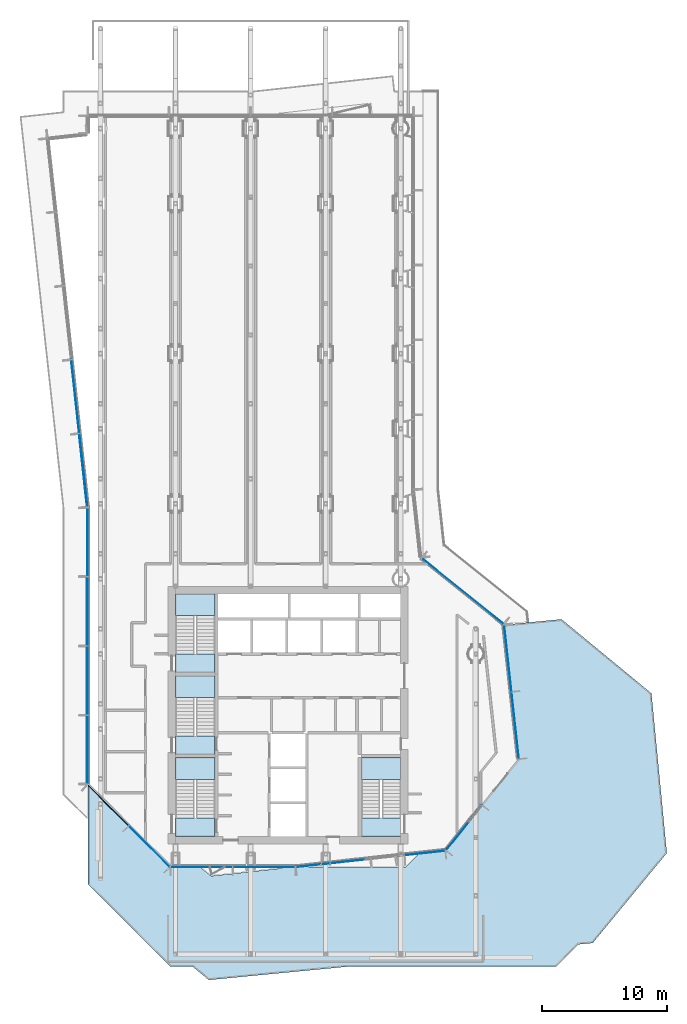
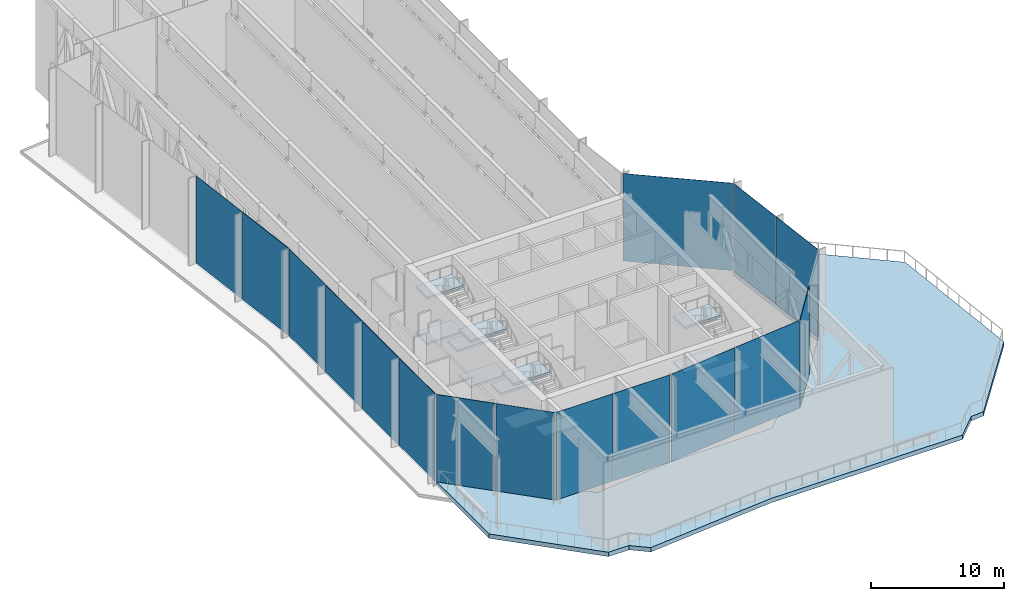
# One storey, part 10 of 22: 16 plates, 13 slabs, 12 elements without a shape of their own.
"""IFC4 building model written with IfcOpenShell, lengths in metres."""

from ifc_helpers import new_model, si_unit, direction, frame, origin, origin_2d, place, context, subcontext, project, spatial, polyline, rectangle, outline, extrude, material, layer, layer_set, type_object, element, aggregate, save


model = new_model("IFC4")

# Units and contexts
model_context = context("Model", 3, precision=1e-05, world=origin(), true_north=direction((0.0, 1.0)))
body_context = subcontext(model_context, "Body", "Model", "MODEL_VIEW")
ifc_project = project(units=[si_unit("LENGTHUNIT", "METRE"), si_unit("AREAUNIT", "SQUARE_METRE"), si_unit("VOLUMEUNIT", "CUBIC_METRE"), si_unit("PLANEANGLEUNIT", "RADIAN"), si_unit("MASSUNIT", "GRAM", prefix="KILO")], contexts=[model_context])

# Site, building, storey
site_placement = place(None, origin())
site = spatial("IfcSite", under=ifc_project, at=site_placement, CompositionType="ELEMENT")
building_placement = place(site_placement, origin())
building = spatial("IfcBuilding", under=site, at=building_placement, Name="Welwitschia Terrace Campus", CompositionType="ELEMENT")
storey_placement = place(building_placement, frame((0.0, 0.0, 197.0)))
storey = spatial("IfcBuildingStorey", under=building, at=storey_placement, Name="L44", CompositionType="ELEMENT", Elevation=197.0)

# Curtain wall, plates
ifc_material_1 = material(Name="Bronze anodised aluminium", Category="aluminium")
ifc_layer_1 = layer(ifc_material_1, 0.159912109375)
ifc_layer_set_1 = layer_set([ifc_layer_1], Name="Bronze anodised aluminium")
curtain_wall_type = type_object("IfcCurtainWallType", Name="Curtain wall CW3 commons 6000", PredefinedType="NOTDEFINED", material=ifc_layer_set_1)
curtain_wall_1_placement = place(storey_placement, origin())
curtain_wall_1 = element("IfcCurtainWall", 1, at=curtain_wall_1_placement, inside=storey, type_object=curtain_wall_type, Name="CW L44.1.0", PredefinedType="NOTDEFINED")
ifc_material_2 = material(Name="Tinted bronze-grey glass", Category="glass")
ifc_layer_2 = layer(ifc_material_2, 0.031982421875)
ifc_layer_set_2 = layer_set([ifc_layer_2], Name="Tinted bronze-grey glass")
plate_type_1 = type_object("IfcPlateType", Name="Glass panel 32 tinted", PredefinedType="CURTAIN_PANEL", material=ifc_layer_set_2)
plate_1_placement = place(storey_placement, frame((33.151611328125, 14.2763671875, 0.0), z_axis=(0.0, 0.0, 1.0), x_axis=(-0.108866874852, 0.994056338222, 0.0)))
plate_1 = element("IfcPlate", 2, at=plate_1_placement, type_object=plate_type_1, Name="Panel L44.1.0.0", PredefinedType="CURTAIN_PANEL", context=body_context, shape_type="SweptSolid", body=[
    extrude(rectangle(XDim=5.344970703125, YDim=0.031982421875, at=origin_2d()), origin(), (0.0, 0.0, 1.0), 8.050048828125),
])
plate_2_placement = place(storey_placement, frame((32.563232421875, 19.649169921875, 0.0), z_axis=(0.0, 0.0, 1.0), x_axis=(-0.108866874852, 0.994056338222, 0.0)))
plate_2 = element("IfcPlate", 3, at=plate_2_placement, type_object=plate_type_1, Name="Panel L44.1.0.1", PredefinedType="CURTAIN_PANEL", context=body_context, shape_type="SweptSolid", body=[
    extrude(rectangle(XDim=5.344970703125, YDim=0.031982421875, at=origin_2d()), origin(), (0.0, 0.0, 1.0), 8.050048828125),
])
aggregate(curtain_wall_1, [plate_1, plate_2])

# Curtain wall, plate
curtain_wall_2_placement = place(storey_placement, origin())
curtain_wall_2 = element("IfcCurtainWall", 4, at=curtain_wall_2_placement, inside=storey, type_object=curtain_wall_type, Name="CW L44.2.0", PredefinedType="NOTDEFINED")
plate_3_placement = place(storey_placement, frame((28.95703125, 25.02099609375, 0.0), z_axis=(0.0, 0.0, 1.0), x_axis=(-0.779884483093, 0.625923472184, 0.0)))
plate_3 = element("IfcPlate", 5, at=plate_3_placement, type_object=plate_type_1, Name="Panel L44.2.0.0", PredefinedType="CURTAIN_PANEL", context=body_context, shape_type="SweptSolid", body=[
    extrude(rectangle(XDim=8.365234375, YDim=0.031982421875, at=origin_2d()), origin(), (0.0, 0.0, 1.0), 8.050048828125),
])
aggregate(curtain_wall_2, [plate_3])

curtain_wall_3_placement = place(storey_placement, origin())
curtain_wall_3 = element("IfcCurtainWall", 6, at=curtain_wall_3_placement, inside=storey, type_object=curtain_wall_type, Name="CW L44.8.0", PredefinedType="NOTDEFINED")
plate_4_placement = place(storey_placement, frame((-2.019775390625, 40.570068359375, 0.0), z_axis=(0.0, 0.0, 1.0), x_axis=(0.108866874852, -0.994056338222, 0.0)))
plate_4 = element("IfcPlate", 7, at=plate_4_placement, type_object=plate_type_1, Name="Panel L44.8.0.3", PredefinedType="CURTAIN_PANEL", context=body_context, shape_type="SweptSolid", body=[
    extrude(rectangle(XDim=5.87890625, YDim=0.031982421875, at=origin_2d()), origin(), (0.0, 0.0, 1.0), 8.050048828125),
])

curtain_wall_4_placement = place(storey_placement, origin())
curtain_wall_4 = element("IfcCurtainWall", 8, at=curtain_wall_4_placement, inside=storey, type_object=curtain_wall_type, Name="CW L44.9.0", PredefinedType="NOTDEFINED")
plate_5_placement = place(storey_placement, frame((-1.050048828125, 28.930908203125, 0.0), z_axis=(0.0, 0.0, 1.0), x_axis=(0.0, -1.0, 0.0)))
plate_5 = element("IfcPlate", 9, at=plate_5_placement, type_object=plate_type_1, Name="Panel L44.9.0.0", PredefinedType="CURTAIN_PANEL", context=body_context, shape_type="SweptSolid", body=[
    extrude(rectangle(XDim=5.447265625, YDim=0.031982421875, at=origin_2d()), origin(), (0.0, 0.0, 1.0), 8.050048828125),
])

curtain_wall_5_placement = place(storey_placement, origin())
curtain_wall_5 = element("IfcCurtainWall", 10, at=curtain_wall_5_placement, inside=storey, type_object=curtain_wall_type, Name="CW L44.10.0", PredefinedType="NOTDEFINED")
plate_6_placement = place(storey_placement, frame((3.900634765625, 4.6142578125, 0.0), z_axis=(0.0, 0.0, 1.0), x_axis=(0.707106781187, -0.707106781187, 0.0)))
plate_6 = element("IfcPlate", 11, at=plate_6_placement, type_object=plate_type_1, Name="Panel L44.10.0.1", PredefinedType="CURTAIN_PANEL", context=body_context, shape_type="SweptSolid", body=[
    extrude(rectangle(XDim=4.587646484375, YDim=0.031982421875, at=origin_2d()), origin(), (0.0, 0.0, 1.0), 8.050048828125),
])

# Curtain wall, plates
curtain_wall_6_placement = place(storey_placement, origin())
curtain_wall_6 = element("IfcCurtainWall", 12, at=curtain_wall_6_placement, inside=storey, type_object=curtain_wall_type, Name="CW L44.11.0", PredefinedType="NOTDEFINED")
plate_7_placement = place(storey_placement, frame((8.0869140625, 2.949951171875, 0.0), z_axis=(0.0, 0.0, 1.0), x_axis=(1.0, 0.0, 0.0)))
plate_7 = element("IfcPlate", 13, at=plate_7_placement, type_object=plate_type_1, Name="Panel L44.11.0.0", PredefinedType="CURTAIN_PANEL", context=body_context, shape_type="SweptSolid", body=[
    extrude(rectangle(XDim=4.923828125, YDim=0.031982421875, at=origin_2d()), origin(), (0.0, 0.0, 1.0), 8.050048828125),
])
plate_8_placement = place(storey_placement, frame((13.070556640625, 2.949951171875, 0.0), z_axis=(0.0, 0.0, 1.0), x_axis=(1.0, 0.0, 0.0)))
plate_8 = element("IfcPlate", 14, at=plate_8_placement, type_object=plate_type_1, Name="Panel L44.11.0.1", PredefinedType="CURTAIN_PANEL", context=body_context, shape_type="SweptSolid", body=[
    extrude(rectangle(XDim=4.923828125, YDim=0.031982421875, at=origin_2d()), origin(), (0.0, 0.0, 1.0), 8.050048828125),
])
aggregate(curtain_wall_6, [plate_7, plate_8])

curtain_wall_7_placement = place(storey_placement, origin())
curtain_wall_7 = element("IfcCurtainWall", 15, at=curtain_wall_7_placement, inside=storey, type_object=curtain_wall_type, Name="CW L44.12.0", PredefinedType="NOTDEFINED")
plate_9_placement = place(storey_placement, frame((18.607666015625, 3.2802734375, 0.0), z_axis=(0.0, 0.0, 1.0), x_axis=(0.994056338222, 0.108866874852, 0.0)))
plate_9 = element("IfcPlate", 16, at=plate_9_placement, type_object=plate_type_1, Name="Panel L44.12.0.0", PredefinedType="CURTAIN_PANEL", context=body_context, shape_type="SweptSolid", body=[
    extrude(rectangle(XDim=5.946533203125, YDim=0.031982421875, at=origin_2d()), origin(), (0.0, 0.0, 1.0), 8.050048828125),
])
plate_10_placement = place(storey_placement, frame((24.578369140625, 3.93408203125, 0.0), z_axis=(0.0, 0.0, 1.0), x_axis=(0.994056338222, 0.108866874852, 0.0)))
plate_10 = element("IfcPlate", 17, at=plate_10_placement, type_object=plate_type_1, Name="Panel L44.12.0.1", PredefinedType="CURTAIN_PANEL", context=body_context, shape_type="SweptSolid", body=[
    extrude(rectangle(XDim=5.946533203125, YDim=0.031982421875, at=origin_2d()), origin(), (0.0, 0.0, 1.0), 8.050048828125),
])
aggregate(curtain_wall_7, [plate_9, plate_10])

# Curtain wall, plate
curtain_wall_8_placement = place(storey_placement, origin())
curtain_wall_8 = element("IfcCurtainWall", 18, at=curtain_wall_8_placement, inside=storey, type_object=curtain_wall_type, Name="CW L44.0.0", PredefinedType="NOTDEFINED")
ifc_material_3 = material(Name="Bronze anodised insulated metal panel")
ifc_layer_3 = layer(ifc_material_3, 0.06005859375)
ifc_layer_set_3 = layer_set([ifc_layer_3], Name="Bronze anodised insulated metal panel")
plate_type_2 = type_object("IfcPlateType", Name="Insulated metal panel 60", PredefinedType="CURTAIN_PANEL", material=ifc_layer_set_3)
plate_11_placement = place(storey_placement, frame((29.057373046875, 6.08837890625, 0.0), z_axis=(0.0, 0.0, 1.0), x_axis=(0.625923472184, 0.779884483093, 0.0)))
plate_11 = element("IfcPlate", 19, at=plate_11_placement, type_object=plate_type_2, Name="Panel L44.0.0.0", PredefinedType="CURTAIN_PANEL", context=body_context, shape_type="SweptSolid", body=[
    extrude(rectangle(XDim=4.5576171875, YDim=0.06005859375, at=origin_2d()), origin(), (0.0, 0.0, 1.0), 8.050048828125),
])
aggregate(curtain_wall_8, [plate_11])

# Plate
plate_12_placement = place(storey_placement, frame((-1.375, 34.681396484375, 0.0), z_axis=(0.0, 0.0, 1.0), x_axis=(0.108866874852, -0.994056338222, 0.0)))
plate_12 = element("IfcPlate", 20, at=plate_12_placement, type_object=plate_type_2, Name="Panel L44.8.0.4", PredefinedType="CURTAIN_PANEL", context=body_context, shape_type="SweptSolid", body=[
    extrude(rectangle(XDim=5.848876953125, YDim=0.06005859375, at=origin_2d()), origin(), (0.0, 0.0, 1.0), 8.050048828125),
])

aggregate(curtain_wall_3, [plate_4, plate_12])

plate_13_placement = place(storey_placement, frame((-1.050048828125, 23.408447265625, 0.0), z_axis=(0.0, 0.0, 1.0), x_axis=(0.0, -1.0, 0.0)))
plate_13 = element("IfcPlate", 21, at=plate_13_placement, type_object=plate_type_2, Name="Panel L44.9.0.1", PredefinedType="CURTAIN_PANEL", context=body_context, shape_type="SweptSolid", body=[
    extrude(rectangle(XDim=5.477294921875, YDim=0.06005859375, at=origin_2d()), origin(), (0.0, 0.0, 1.0), 8.050048828125),
])

plate_14_placement = place(storey_placement, frame((-1.050048828125, 17.87109375, 0.0), z_axis=(0.0, 0.0, 1.0), x_axis=(0.0, -1.0, 0.0)))
plate_14 = element("IfcPlate", 22, at=plate_14_placement, type_object=plate_type_2, Name="Panel L44.9.0.2", PredefinedType="CURTAIN_PANEL", context=body_context, shape_type="SweptSolid", body=[
    extrude(rectangle(XDim=5.477294921875, YDim=0.06005859375, at=origin_2d()), origin(), (0.0, 0.0, 1.0), 8.050048828125),
])

plate_15_placement = place(storey_placement, frame((-1.050048828125, 12.348876953125, 0.0), z_axis=(0.0, 0.0, 1.0), x_axis=(0.0, -1.0, 0.0)))
plate_15 = element("IfcPlate", 23, at=plate_15_placement, type_object=plate_type_2, Name="Panel L44.9.0.3", PredefinedType="CURTAIN_PANEL", context=body_context, shape_type="SweptSolid", body=[
    extrude(rectangle(XDim=5.447265625, YDim=0.06005859375, at=origin_2d()), origin(), (0.0, 0.0, 1.0), 8.050048828125),
])

aggregate(curtain_wall_4, [plate_5, plate_13, plate_14, plate_15])

plate_16_placement = place(storey_placement, frame((0.6142578125, 7.900634765625, 0.0), z_axis=(0.0, 0.0, 1.0), x_axis=(0.707106781187, -0.707106781187, 0.0)))
plate_16 = element("IfcPlate", 24, at=plate_16_placement, type_object=plate_type_2, Name="Panel L44.10.0.0", PredefinedType="CURTAIN_PANEL", context=body_context, shape_type="SweptSolid", body=[
    extrude(rectangle(XDim=4.587646484375, YDim=0.06005859375, at=origin_2d()), origin(), (0.0, 0.0, 1.0), 8.050048828125),
])

aggregate(curtain_wall_5, [plate_16, plate_6])

# Stair, slabs
ifc_material_4 = material(Name="Concrete C40/50", Category="concrete")
stair_type = type_object("IfcStairType", Name="Stair 48R 175 W1500", PredefinedType="HALF_TURN_STAIR", material=ifc_material_4)
stair_1_placement = place(storey_placement, origin())
stair_1 = element("IfcStair", 25, at=stair_1_placement, inside=storey, type_object=stair_type, Name="L44 Exit stair S1", PredefinedType="HALF_TURN_STAIR")
ifc_material_5 = material(Name="Concrete C40/50", Category="concrete")
ifc_layer_4 = layer(ifc_material_5, 0.199951171875)
ifc_layer_set_4 = layer_set([ifc_layer_4], Name="Concrete C40/50")
slab_type_1 = type_object("IfcSlabType", Name="Stair landing RC", PredefinedType="LANDING", material=ifc_layer_set_4)
slab_1_placement = place(storey_placement, frame((0.0, 0.0, 1.89990234375)))
slab_1 = element("IfcSlab", 26, at=slab_1_placement, type_object=slab_type_1, Name="S1 landing 1", PredefinedType="LANDING", context=body_context, shape_type="SweptSolid", body=[
    extrude(outline(polyline([(9.14990234375, 9.97998046875), (9.14990234375, 11.699951171875), (6.0, 11.699951171875), (6.0, 9.97998046875), (9.14990234375, 9.97998046875)])), origin(), (0.0, 0.0, 1.0), 0.2001953125),
])
slab_2_placement = place(storey_placement, frame((0.0, 0.0, 4.0)))
slab_2 = element("IfcSlab", 27, at=slab_2_placement, type_object=slab_type_1, Name="S1 landing 2", PredefinedType="LANDING", context=body_context, shape_type="SweptSolid", body=[
    extrude(outline(polyline([(9.14990234375, 5.39990234375), (9.14990234375, 6.89990234375), (6.0, 6.89990234375), (6.0, 5.39990234375), (9.14990234375, 5.39990234375)])), origin(), (0.0, 0.0, 1.0), 0.199951171875),
])
slab_3_placement = place(storey_placement, frame((0.0, 0.0, 6.10009765625)))
slab_3 = element("IfcSlab", 28, at=slab_3_placement, type_object=slab_type_1, Name="S1 landing 3", PredefinedType="LANDING", context=body_context, shape_type="SweptSolid", body=[
    extrude(outline(polyline([(9.14990234375, 9.97998046875), (9.14990234375, 11.699951171875), (6.0, 11.699951171875), (6.0, 9.97998046875), (9.14990234375, 9.97998046875)])), origin(), (0.0, 0.0, 1.0), 0.199951171875),
])
aggregate(stair_1, [slab_1, slab_2, slab_3])

stair_2_placement = place(storey_placement, origin())
stair_2 = element("IfcStair", 29, at=stair_2_placement, inside=storey, type_object=stair_type, Name="L44 Exit stair S3", PredefinedType="HALF_TURN_STAIR")
slab_4_placement = place(storey_placement, frame((0.0, 0.0, 1.89990234375)))
slab_4 = element("IfcSlab", 30, at=slab_4_placement, type_object=slab_type_1, Name="S3 landing 1", PredefinedType="LANDING", context=body_context, shape_type="SweptSolid", body=[
    extrude(outline(polyline([(9.14990234375, 16.530029296875), (9.14990234375, 18.25), (6.0, 18.25), (6.0, 16.530029296875), (9.14990234375, 16.530029296875)])), origin(), (0.0, 0.0, 1.0), 0.2001953125),
])
slab_5_placement = place(storey_placement, frame((0.0, 0.0, 4.0)))
slab_5 = element("IfcSlab", 31, at=slab_5_placement, type_object=slab_type_1, Name="S3 landing 2", PredefinedType="LANDING", context=body_context, shape_type="SweptSolid", body=[
    extrude(outline(polyline([(9.14990234375, 11.949951171875), (9.14990234375, 13.449951171875), (6.0, 13.449951171875), (6.0, 11.949951171875), (9.14990234375, 11.949951171875)])), origin(), (0.0, 0.0, 1.0), 0.199951171875),
])
slab_6_placement = place(storey_placement, frame((0.0, 0.0, 6.10009765625)))
slab_6 = element("IfcSlab", 32, at=slab_6_placement, type_object=slab_type_1, Name="S3 landing 3", PredefinedType="LANDING", context=body_context, shape_type="SweptSolid", body=[
    extrude(outline(polyline([(9.14990234375, 16.530029296875), (9.14990234375, 18.25), (6.0, 18.25), (6.0, 16.530029296875), (9.14990234375, 16.530029296875)])), origin(), (0.0, 0.0, 1.0), 0.199951171875),
])
aggregate(stair_2, [slab_4, slab_5, slab_6])

stair_3_placement = place(storey_placement, origin())
stair_3 = element("IfcStair", 33, at=stair_3_placement, inside=storey, type_object=stair_type, Name="L44 Exit stair S4", PredefinedType="HALF_TURN_STAIR")
slab_7_placement = place(storey_placement, frame((0.0, 0.0, 1.89990234375)))
slab_7 = element("IfcSlab", 34, at=slab_7_placement, type_object=slab_type_1, Name="S4 landing 1", PredefinedType="LANDING", context=body_context, shape_type="SweptSolid", body=[
    extrude(outline(polyline([(9.14990234375, 23.080078125), (9.14990234375, 24.800048828125), (6.0, 24.800048828125), (6.0, 23.080078125), (9.14990234375, 23.080078125)])), origin(), (0.0, 0.0, 1.0), 0.2001953125),
])
slab_8_placement = place(storey_placement, frame((0.0, 0.0, 4.0)))
slab_8 = element("IfcSlab", 35, at=slab_8_placement, type_object=slab_type_1, Name="S4 landing 2", PredefinedType="LANDING", context=body_context, shape_type="SweptSolid", body=[
    extrude(outline(polyline([(9.14990234375, 18.5), (9.14990234375, 20.0), (6.0, 20.0), (6.0, 18.5), (9.14990234375, 18.5)])), origin(), (0.0, 0.0, 1.0), 0.199951171875),
])
slab_9_placement = place(storey_placement, frame((0.0, 0.0, 6.10009765625)))
slab_9 = element("IfcSlab", 36, at=slab_9_placement, type_object=slab_type_1, Name="S4 landing 3", PredefinedType="LANDING", context=body_context, shape_type="SweptSolid", body=[
    extrude(outline(polyline([(9.14990234375, 23.080078125), (9.14990234375, 24.800048828125), (6.0, 24.800048828125), (6.0, 23.080078125), (9.14990234375, 23.080078125)])), origin(), (0.0, 0.0, 1.0), 0.199951171875),
])
aggregate(stair_3, [slab_7, slab_8, slab_9])

stair_4_placement = place(storey_placement, origin())
stair_4 = element("IfcStair", 37, at=stair_4_placement, inside=storey, type_object=stair_type, Name="L44 Exit stair S2", PredefinedType="HALF_TURN_STAIR")
slab_10_placement = place(storey_placement, frame((0.0, 0.0, 1.89990234375)))
slab_10 = element("IfcSlab", 38, at=slab_10_placement, type_object=slab_type_1, Name="S2 landing 1", PredefinedType="LANDING", context=body_context, shape_type="SweptSolid", body=[
    extrude(outline(polyline([(24.0, 9.97998046875), (24.0, 11.699951171875), (20.85009765625, 11.699951171875), (20.85009765625, 9.97998046875), (24.0, 9.97998046875)])), origin(), (0.0, 0.0, 1.0), 0.2001953125),
])
slab_11_placement = place(storey_placement, frame((0.0, 0.0, 4.0)))
slab_11 = element("IfcSlab", 39, at=slab_11_placement, type_object=slab_type_1, Name="S2 landing 2", PredefinedType="LANDING", context=body_context, shape_type="SweptSolid", body=[
    extrude(outline(polyline([(24.0, 5.39990234375), (24.0, 6.89990234375), (20.85009765625, 6.89990234375), (20.85009765625, 5.39990234375), (24.0, 5.39990234375)])), origin(), (0.0, 0.0, 1.0), 0.199951171875),
])
slab_12_placement = place(storey_placement, frame((0.0, 0.0, 6.10009765625)))
slab_12 = element("IfcSlab", 40, at=slab_12_placement, type_object=slab_type_1, Name="S2 landing 3", PredefinedType="LANDING", context=body_context, shape_type="SweptSolid", body=[
    extrude(outline(polyline([(24.0, 9.97998046875), (24.0, 11.699951171875), (20.85009765625, 11.699951171875), (20.85009765625, 9.97998046875), (24.0, 9.97998046875)])), origin(), (0.0, 0.0, 1.0), 0.199951171875),
])
aggregate(stair_4, [slab_10, slab_11, slab_12])

# Slab
ifc_material_6 = material(Name="Concrete C40/50", Category="concrete")
ifc_layer_5 = layer(ifc_material_6, 0.39990234375)
ifc_layer_set_5 = layer_set([ifc_layer_5], Name="Concrete C40/50")
slab_type_2 = type_object("IfcSlabType", Name="Terrace slab 400", PredefinedType="FLOOR", material=ifc_layer_set_5)
slab_13_placement = place(storey_placement, frame((0.0, 0.0, -0.39990234375)))
element("IfcSlab", 41, at=slab_13_placement, inside=storey, type_object=slab_type_2, Name="Terrace slab", PredefinedType="FLOOR", context=body_context, shape_type="SweptSolid", body=[
    extrude(outline(polyline([(36.852783203125, 22.76953125), (44.039306640625, 16.84521484375), (45.26904296875, 4.075927734375), (39.3447265625, -3.11083984375), (38.1923828125, -3.2216796875), (36.414306640625, -5.0), (19.724609375, -5.0), (8.658203125, -6.065673828125), (7.365478515625, -5.0), (5.585693359375, -5.0), (-1.0, 1.585693359375), (-1.0, 9.585693359375), (0.207275390625, 8.378662109375), (0.195068359375, 8.378662109375), (0.195068359375, 8.375732421875), (0.195068359375, 8.374267578125), (0.1953125, 8.372802734375), (0.195556640625, 8.371337890625), (0.196044921875, 8.3701171875), (0.19677734375, 8.36865234375), (0.197509765625, 8.367431640625), (0.198486328125, 8.3662109375), (0.199462890625, 8.365234375), (5.5751953125, 2.989501953125), (5.576171875, 2.988525390625), (5.577392578125, 2.987548828125), (5.57861328125, 2.98681640625), (5.580078125, 2.986083984375), (5.58154296875, 2.985595703125), (5.582763671875, 2.9853515625), (5.584228515625, 2.985107421875), (5.585693359375, 2.985107421875), (5.7900390625, 2.985107421875), (5.79150390625, 2.985107421875), (5.79296875, 2.9853515625), (5.79443359375, 2.985595703125), (5.795654296875, 2.986083984375), (5.797119140625, 2.98681640625), (5.79833984375, 2.987548828125), (5.799560546875, 2.988525390625), (5.800537109375, 2.989501953125), (5.801513671875, 2.990478515625), (5.802490234375, 2.99169921875), (5.80322265625, 2.992919921875), (5.803955078125, 2.994140625), (5.804443359375, 2.99560546875), (5.8046875, 2.9970703125), (5.804931640625, 2.99853515625), (5.804931640625, 3.0), (6.195068359375, 3.0), (6.195068359375, 2.99853515625), (6.1953125, 2.9970703125), (6.195556640625, 2.99560546875), (6.196044921875, 2.994140625), (6.19677734375, 2.992919921875), (6.197509765625, 2.99169921875), (6.198486328125, 2.990478515625), (6.199462890625, 2.989501953125), (6.200439453125, 2.988525390625), (6.20166015625, 2.987548828125), (6.202880859375, 2.98681640625), (6.204345703125, 2.986083984375), (6.20556640625, 2.985595703125), (6.20703125, 2.9853515625), (6.20849609375, 2.985107421875), (6.2099609375, 2.985107421875), (7.92626953125, 2.985107421875), (8.841552734375, 2.250244140625), (8.8427734375, 2.24951171875), (8.84423828125, 2.248779296875), (8.845458984375, 2.248046875), (8.846923828125, 2.24755859375), (8.848388671875, 2.247314453125), (8.849853515625, 2.2470703125), (8.851318359375, 2.2470703125), (8.852783203125, 2.2470703125), (11.791748046875, 2.56884765625), (11.79296875, 2.569091796875), (11.79443359375, 2.569580078125), (11.7958984375, 2.570068359375), (11.797119140625, 2.57080078125), (11.79833984375, 2.571533203125), (11.799560546875, 2.572265625), (11.80078125, 2.5732421875), (11.8017578125, 2.574462890625), (11.802490234375, 2.57568359375), (11.80322265625, 2.576904296875), (11.803955078125, 2.578125), (11.804443359375, 2.57958984375), (11.8046875, 2.5810546875), (11.804931640625, 2.582275390625), (11.804931640625, 2.583740234375), (11.804931640625, 2.58544921875), (12.195068359375, 2.628173828125), (12.1953125, 2.626953125), (12.195556640625, 2.62548828125), (12.196044921875, 2.6240234375), (12.19677734375, 2.622802734375), (12.197509765625, 2.62158203125), (12.198486328125, 2.620361328125), (12.199462890625, 2.619140625), (12.200439453125, 2.6181640625), (12.20166015625, 2.617431640625), (12.203125, 2.616455078125), (12.204345703125, 2.615966796875), (12.205810546875, 2.615478515625), (12.207275390625, 2.615234375), (12.208740234375, 2.614990234375), (12.210205078125, 2.61474609375), (12.211669921875, 2.614990234375), (15.590576171875, 2.985107421875), (17.7900390625, 2.985107421875), (17.79150390625, 2.985107421875), (17.79296875, 2.9853515625), (17.79443359375, 2.985595703125), (17.795654296875, 2.986083984375), (17.797119140625, 2.98681640625), (17.79833984375, 2.987548828125), (17.799560546875, 2.988525390625), (17.800537109375, 2.989501953125), (17.801513671875, 2.990478515625), (17.802490234375, 2.99169921875), (17.80322265625, 2.992919921875), (17.803955078125, 2.994140625), (17.804443359375, 2.99560546875), (17.8046875, 2.9970703125), (17.804931640625, 2.99853515625), (17.804931640625, 3.0), (18.195068359375, 3.0), (18.195068359375, 2.99853515625), (18.1953125, 2.9970703125), (18.195556640625, 2.99560546875), (18.196044921875, 2.994140625), (18.19677734375, 2.992919921875), (18.197509765625, 2.99169921875), (18.198486328125, 2.990478515625), (18.199462890625, 2.989501953125), (18.200439453125, 2.988525390625), (18.20166015625, 2.987548828125), (18.202880859375, 2.98681640625), (18.204345703125, 2.986083984375), (18.20556640625, 2.985595703125), (18.20703125, 2.9853515625), (18.20849609375, 2.985107421875), (18.2099609375, 2.985107421875), (23.7900390625, 2.985107421875), (23.79150390625, 2.985107421875), (23.79296875, 2.9853515625), (23.79443359375, 2.985595703125), (23.795654296875, 2.986083984375), (23.797119140625, 2.98681640625), (23.79833984375, 2.987548828125), (23.799560546875, 2.988525390625), (23.800537109375, 2.989501953125), (23.801513671875, 2.990478515625), (23.802490234375, 2.99169921875), (23.80322265625, 2.992919921875), (23.803955078125, 2.994140625), (23.804443359375, 2.99560546875), (23.8046875, 2.9970703125), (23.804931640625, 2.99853515625), (23.804931640625, 3.0), (24.195068359375, 3.0), (24.195068359375, 2.99853515625), (24.1953125, 2.9970703125), (24.195556640625, 2.99560546875), (24.196044921875, 2.994140625), (24.19677734375, 2.992919921875), (24.197509765625, 2.99169921875), (24.198486328125, 2.990478515625), (24.199462890625, 2.989501953125), (24.200439453125, 2.988525390625), (24.20166015625, 2.987548828125), (24.202880859375, 2.98681640625), (24.204345703125, 2.986083984375), (24.20556640625, 2.985595703125), (24.20703125, 2.9853515625), (24.20849609375, 2.985107421875), (24.2099609375, 2.985107421875), (24.414306640625, 2.985107421875), (24.415771484375, 2.985107421875), (24.417236328125, 2.9853515625), (24.41845703125, 2.985595703125), (24.419921875, 2.986083984375), (24.42138671875, 2.98681640625), (24.422607421875, 2.987548828125), (24.423828125, 2.988525390625), (24.4248046875, 2.989501953125), (25.50634765625, 4.071044921875), (27.569091796875, 4.296875), (27.567626953125, 4.311767578125), (27.579345703125, 4.302490234375), (29.8017578125, 7.071533203125), (29.802490234375, 7.07275390625), (29.80322265625, 7.073974609375), (29.803955078125, 7.0751953125), (29.804443359375, 7.07666015625), (29.8046875, 7.077880859375), (29.804931640625, 7.079345703125), (29.804931640625, 7.080810546875), (29.804931640625, 7.083984375), (29.79248046875, 7.083984375), (30.20068359375, 7.592529296875), (30.20166015625, 7.591796875), (30.202880859375, 7.5908203125), (30.204345703125, 7.59033203125), (30.205810546875, 7.58984375), (30.207275390625, 7.58935546875), (30.208740234375, 7.58935546875), (30.210205078125, 7.589111328125), (30.211669921875, 7.58935546875), (30.213134765625, 7.589599609375), (30.21435546875, 7.58984375), (30.2158203125, 7.59033203125), (30.21728515625, 7.591064453125), (30.218505859375, 7.591796875), (30.2197265625, 7.5927734375), (30.220703125, 7.59375), (30.2216796875, 7.5947265625), (33.408935546875, 11.56591796875), (33.409912109375, 11.567138671875), (33.41064453125, 11.568359375), (33.4111328125, 11.56982421875), (33.41162109375, 11.5712890625), (33.411865234375, 11.572509765625), (33.412109375, 11.573974609375), (33.412109375, 11.575439453125), (33.412109375, 11.5771484375), (32.235107421875, 22.324951171875), (36.852783203125, 22.76953125)])), origin(), (0.0, 0.0, 1.0), 0.39990234375),
])

save(model, "model.ifc")
